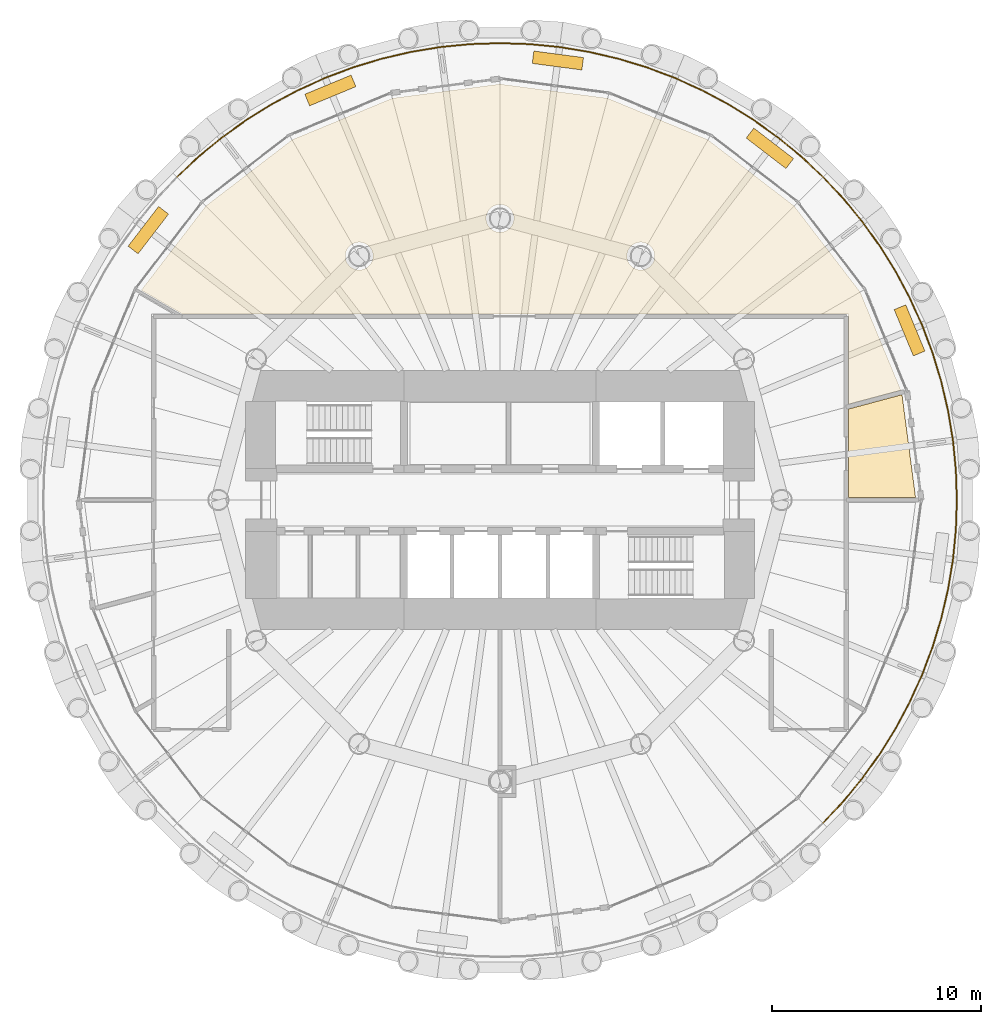
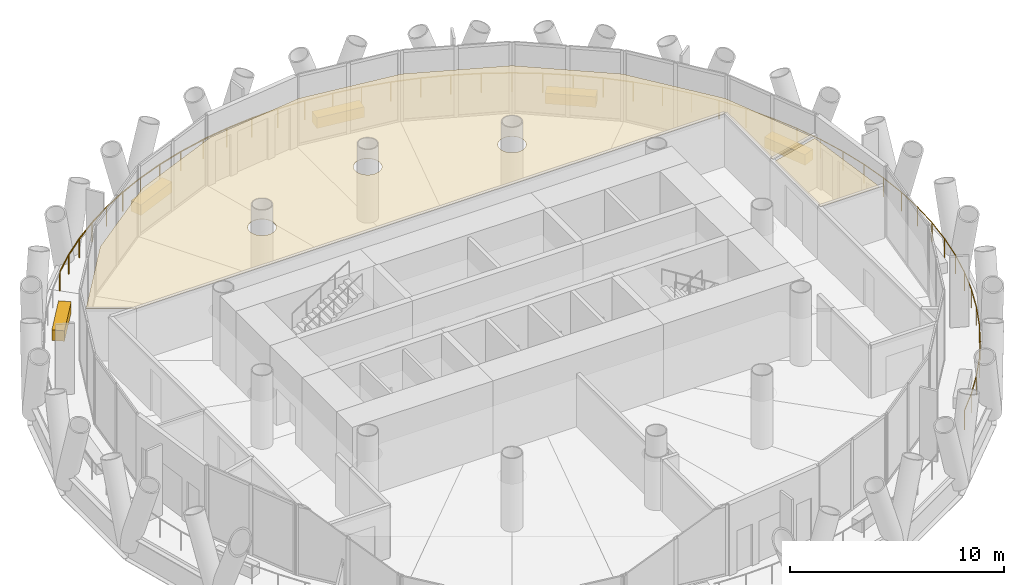
# One storey, part 13 of 13: 7 coverings, 2 railings.
"""IFC4 building model written with IfcOpenShell, lengths in metres."""

from ifc_helpers import new_model, si_unit, direction, frame, origin, origin_2d, place, context, subcontext, project, spatial, polyline, rectangle, circle, outline, extrude, material, layer, layer_set, type_object, element, save


model = new_model("IFC4")

# Units and contexts
model_context = context("Model", 3, precision=1e-05, world=origin(), true_north=direction((0.0, 1.0)))
body_context = subcontext(model_context, "Body", "Model", "MODEL_VIEW")
ifc_project = project(units=[si_unit("LENGTHUNIT", "METRE"), si_unit("AREAUNIT", "SQUARE_METRE"), si_unit("VOLUMEUNIT", "CUBIC_METRE"), si_unit("PLANEANGLEUNIT", "RADIAN"), si_unit("MASSUNIT", "GRAM", prefix="KILO")], contexts=[model_context])

# Site, building, storey
site_placement = place(None, origin())
site = spatial("IfcSite", under=ifc_project, at=site_placement, CompositionType="ELEMENT")
building_placement = place(site_placement, origin())
building = spatial("IfcBuilding", under=site, at=building_placement, Name="Qaws Media Tower", CompositionType="ELEMENT")
storey_placement = place(building_placement, frame((0.0, 0.0, 219.199951171875)))
storey = spatial("IfcBuildingStorey", under=building, at=storey_placement, Name="L50", CompositionType="ELEMENT", Elevation=219.199951171875)

# Railings
ifc_material_1 = material(Name="Stainless steel and glass guard", Category="steel")
railing_type = type_object("IfcRailingType", Name="Balcony guard 1100", PredefinedType="GUARDRAIL", material=ifc_material_1)
railing_1_placement = place(storey_placement, frame((75.485595703125, 65.485595703125, 0.0)))
element("IfcRailing", 1, at=railing_1_placement, inside=storey, type_object=railing_type, Name="GR1 balcony guard L50-1", PredefinedType="GUARDRAIL", context=body_context, shape_type="SweptSolid", body=[
    extrude(circle(Radius=0.02392578125, at=origin_2d()), frame((0.0, 0.0, 1.076171875), z_axis=(-0.729813400742, 0.683646399901, 0.0), x_axis=(-0.683646399901, -0.729813400742, 0.0)), (0.0, 0.0, 1.0), 1.43310546875),
    extrude(circle(Radius=0.02392578125, at=origin_2d()), frame((-1.0458984375, 0.979736328125, 1.076171875), z_axis=(-0.773030531197, 0.634368818462, 0.0), x_axis=(-0.634368818462, -0.773030531197, 0.0)), (0.0, 0.0, 1.0), 1.43310546875),
    extrude(circle(Radius=0.02392578125, at=origin_2d()), frame((-2.15380859375, 1.888916015625, 1.076171875), z_axis=(-0.812834605048, 0.582494553482, 0.0), x_axis=(-0.582494553482, -0.812834605048, 0.0)), (0.0, 0.0, 1.0), 1.43310546875),
    extrude(circle(Radius=0.02392578125, at=origin_2d()), frame((-3.318603515625, 2.7236328125, 1.076171875), z_axis=(-0.849192418693, 0.52808355024, 0.0), x_axis=(-0.52808355024, -0.849192418693, 0.0)), (0.0, 0.0, 1.0), 1.43310546875),
    extrude(circle(Radius=0.02392578125, at=origin_2d()), frame((-4.53564453125, 3.48046875, 1.076171875), z_axis=(-0.881932889719, 0.471374986643, 0.0), x_axis=(-0.471374986643, -0.881932889719, 0.0)), (0.0, 0.0, 1.0), 1.43310546875),
    extrude(circle(Radius=0.02392578125, at=origin_2d()), frame((-5.799560546875, 4.156005859375, 1.076171875), z_axis=(-0.910879266188, 0.412672948505, 0.0), x_axis=(-0.412672948505, -0.910879266188, 0.0)), (0.0, 0.0, 1.0), 1.432861328125),
    extrude(circle(Radius=0.02392578125, at=origin_2d()), frame((-7.104736328125, 4.747314453125, 1.076171875), z_axis=(-0.935894423656, 0.352280609414, 0.0), x_axis=(-0.352280609414, -0.935894423656, 0.0)), (0.0, 0.0, 1.0), 1.43310546875),
    extrude(circle(Radius=0.02392578125, at=origin_2d()), frame((-8.446044921875, 5.252197265625, 1.076171875), z_axis=(-0.956935523719, 0.290300539864, 0.0), x_axis=(-0.290300539864, -0.956935523719, 0.0)), (0.0, 0.0, 1.0), 1.43310546875),
    extrude(circle(Radius=0.02392578125, at=origin_2d()), frame((-9.8173828125, 5.668212890625, 1.076171875), z_axis=(-0.973877636185, 0.227073445694, 0.0), x_axis=(-0.227073445694, -0.973877636185, 0.0)), (0.0, 0.0, 1.0), 1.43310546875),
    extrude(circle(Radius=0.02392578125, at=origin_2d()), frame((-11.213134765625, 5.99365234375, 1.076171875), z_axis=(-0.986646014625, 0.162879224656, 0.0), x_axis=(-0.162879224656, -0.986646014625, 0.0)), (0.0, 0.0, 1.0), 1.432861328125),
    extrude(circle(Radius=0.02392578125, at=origin_2d()), frame((-12.626953125, 6.22705078125, 1.076171875), z_axis=(-0.995191151601, 0.097951885, 0.0), x_axis=(-0.097951885, -0.995191151601, 0.0)), (0.0, 0.0, 1.0), 1.43310546875),
    extrude(circle(Radius=0.02392578125, at=origin_2d()), frame((-14.05322265625, 6.367431640625, 1.076171875), z_axis=(-0.99946495338, 0.032707903707, 0.0), x_axis=(-0.032707903707, -0.99946495338, 0.0)), (0.0, 0.0, 1.0), 1.43310546875),
    extrude(circle(Radius=0.02392578125, at=origin_2d()), frame((-15.485595703125, 6.414306640625, 1.076171875), z_axis=(-0.99946495338, -0.032707903707, 0.0), x_axis=(0.032707903707, -0.99946495338, 0.0)), (0.0, 0.0, 1.0), 1.43310546875),
    extrude(circle(Radius=0.02392578125, at=origin_2d()), frame((-16.91796875, 6.367431640625, 1.076171875), z_axis=(-0.995191151601, -0.097951885, 0.0), x_axis=(0.097951885, -0.995191151601, 0.0)), (0.0, 0.0, 1.0), 1.43310546875),
    extrude(circle(Radius=0.02392578125, at=origin_2d()), frame((-18.34423828125, 6.22705078125, 1.076171875), z_axis=(-0.986646014625, -0.162879224656, 0.0), x_axis=(0.162879224656, -0.986646014625, 0.0)), (0.0, 0.0, 1.0), 1.432861328125),
    extrude(circle(Radius=0.02392578125, at=origin_2d()), frame((-19.758056640625, 5.99365234375, 1.076171875), z_axis=(-0.973877636185, -0.227073445694, 0.0), x_axis=(0.227073445694, -0.973877636185, 0.0)), (0.0, 0.0, 1.0), 1.43310546875),
    extrude(circle(Radius=0.02392578125, at=origin_2d()), frame((-21.15380859375, 5.668212890625, 1.076171875), z_axis=(-0.956935523719, -0.290300539864, 0.0), x_axis=(0.290300539864, -0.956935523719, 0.0)), (0.0, 0.0, 1.0), 1.43310546875),
    extrude(circle(Radius=0.02392578125, at=origin_2d()), frame((-22.525146484375, 5.252197265625, 1.076171875), z_axis=(-0.935894423656, -0.352280609414, 0.0), x_axis=(0.352280609414, -0.935894423656, 0.0)), (0.0, 0.0, 1.0), 1.43310546875),
    extrude(circle(Radius=0.02392578125, at=origin_2d()), frame((-23.866455078125, 4.747314453125, 1.076171875), z_axis=(-0.910879266188, -0.412672948505, 0.0), x_axis=(0.412672948505, -0.910879266188, 0.0)), (0.0, 0.0, 1.0), 1.432861328125),
    extrude(circle(Radius=0.02392578125, at=origin_2d()), frame((-25.171630859375, 4.156005859375, 1.076171875), z_axis=(-0.881932889719, -0.471374986643, 0.0), x_axis=(0.471374986643, -0.881932889719, 0.0)), (0.0, 0.0, 1.0), 1.43310546875),
    extrude(circle(Radius=0.02392578125, at=origin_2d()), frame((-26.435546875, 3.48046875, 1.076171875), z_axis=(-0.849192418693, -0.52808355024, 0.0), x_axis=(0.52808355024, -0.849192418693, 0.0)), (0.0, 0.0, 1.0), 1.43310546875),
    extrude(circle(Radius=0.02392578125, at=origin_2d()), frame((-27.652587890625, 2.7236328125, 1.076171875), z_axis=(-0.812834605048, -0.582494553482, 0.0), x_axis=(0.582494553482, -0.812834605048, 0.0)), (0.0, 0.0, 1.0), 1.43310546875),
    extrude(circle(Radius=0.02392578125, at=origin_2d()), frame((-28.8173828125, 1.888916015625, 1.076171875), z_axis=(-0.773030531197, -0.634368818462, 0.0), x_axis=(0.634368818462, -0.773030531197, 0.0)), (0.0, 0.0, 1.0), 1.43310546875),
    extrude(circle(Radius=0.02392578125, at=origin_2d()), frame((-29.92529296875, 0.979736328125, 1.076171875), z_axis=(-0.729813400742, -0.683646399901, 0.0), x_axis=(0.683646399901, -0.729813400742, 0.0)), (0.0, 0.0, 1.0), 1.43310546875),
    extrude(circle(Radius=0.02099609375, at=origin_2d()), origin(), (0.0, 0.0, 1.0), 1.052001953125),
    extrude(circle(Radius=0.02099609375, at=origin_2d()), frame((-1.0458984375, 0.979736328125, 0.0)), (0.0, 0.0, 1.0), 1.052001953125),
    extrude(circle(Radius=0.02099609375, at=origin_2d()), frame((-2.15380859375, 1.888916015625, 0.0)), (0.0, 0.0, 1.0), 1.052001953125),
    extrude(circle(Radius=0.02099609375, at=origin_2d()), frame((-3.318603515625, 2.7236328125, 0.0)), (0.0, 0.0, 1.0), 1.052001953125),
    extrude(circle(Radius=0.02099609375, at=origin_2d()), frame((-4.53564453125, 3.48046875, 0.0)), (0.0, 0.0, 1.0), 1.052001953125),
    extrude(circle(Radius=0.02099609375, at=origin_2d()), frame((-5.799560546875, 4.156005859375, 0.0)), (0.0, 0.0, 1.0), 1.052001953125),
    extrude(circle(Radius=0.02099609375, at=origin_2d()), frame((-7.104736328125, 4.747314453125, 0.0)), (0.0, 0.0, 1.0), 1.052001953125),
    extrude(circle(Radius=0.02099609375, at=origin_2d()), frame((-8.446044921875, 5.252197265625, 0.0)), (0.0, 0.0, 1.0), 1.052001953125),
    extrude(circle(Radius=0.02099609375, at=origin_2d()), frame((-9.8173828125, 5.668212890625, 0.0)), (0.0, 0.0, 1.0), 1.052001953125),
    extrude(circle(Radius=0.02099609375, at=origin_2d()), frame((-11.213134765625, 5.99365234375, 0.0)), (0.0, 0.0, 1.0), 1.052001953125),
    extrude(circle(Radius=0.02099609375, at=origin_2d()), frame((-12.626953125, 6.22705078125, 0.0)), (0.0, 0.0, 1.0), 1.052001953125),
    extrude(circle(Radius=0.02099609375, at=origin_2d()), frame((-14.05322265625, 6.367431640625, 0.0)), (0.0, 0.0, 1.0), 1.052001953125),
    extrude(circle(Radius=0.02099609375, at=origin_2d()), frame((-15.485595703125, 6.414306640625, 0.0)), (0.0, 0.0, 1.0), 1.052001953125),
    extrude(circle(Radius=0.02099609375, at=origin_2d()), frame((-16.91796875, 6.367431640625, 0.0)), (0.0, 0.0, 1.0), 1.052001953125),
    extrude(circle(Radius=0.02099609375, at=origin_2d()), frame((-18.34423828125, 6.22705078125, 0.0)), (0.0, 0.0, 1.0), 1.052001953125),
    extrude(circle(Radius=0.02099609375, at=origin_2d()), frame((-19.758056640625, 5.99365234375, 0.0)), (0.0, 0.0, 1.0), 1.052001953125),
    extrude(circle(Radius=0.02099609375, at=origin_2d()), frame((-21.15380859375, 5.668212890625, 0.0)), (0.0, 0.0, 1.0), 1.052001953125),
    extrude(circle(Radius=0.02099609375, at=origin_2d()), frame((-22.525146484375, 5.252197265625, 0.0)), (0.0, 0.0, 1.0), 1.052001953125),
    extrude(circle(Radius=0.02099609375, at=origin_2d()), frame((-23.866455078125, 4.747314453125, 0.0)), (0.0, 0.0, 1.0), 1.052001953125),
    extrude(circle(Radius=0.02099609375, at=origin_2d()), frame((-25.171630859375, 4.156005859375, 0.0)), (0.0, 0.0, 1.0), 1.052001953125),
    extrude(circle(Radius=0.02099609375, at=origin_2d()), frame((-26.435546875, 3.48046875, 0.0)), (0.0, 0.0, 1.0), 1.052001953125),
    extrude(circle(Radius=0.02099609375, at=origin_2d()), frame((-27.652587890625, 2.7236328125, 0.0)), (0.0, 0.0, 1.0), 1.052001953125),
    extrude(circle(Radius=0.02099609375, at=origin_2d()), frame((-28.8173828125, 1.888916015625, 0.0)), (0.0, 0.0, 1.0), 1.052001953125),
    extrude(circle(Radius=0.02099609375, at=origin_2d()), frame((-29.92529296875, 0.979736328125, 0.0)), (0.0, 0.0, 1.0), 1.052001953125),
    extrude(circle(Radius=0.02099609375, at=origin_2d()), frame((-30.97119140625, 0.0, 0.0)), (0.0, 0.0, 1.0), 1.052001953125),
])
railing_2_placement = place(storey_placement, frame((75.485595703125, 34.514404296875, 0.0)))
element("IfcRailing", 2, at=railing_2_placement, inside=storey, type_object=railing_type, Name="GR1 balcony guard L50-4", PredefinedType="GUARDRAIL", context=body_context, shape_type="SweptSolid", body=[
    extrude(circle(Radius=0.02392578125, at=origin_2d()), frame((0.0, 0.0, 1.076171875), z_axis=(0.683646399901, 0.729813400742, 0.0), x_axis=(-0.729813400742, 0.683646399901, 0.0)), (0.0, 0.0, 1.0), 1.43310546875),
    extrude(circle(Radius=0.02392578125, at=origin_2d()), frame((0.979736328125, 1.0458984375, 1.076171875), z_axis=(0.634368818462, 0.773030531197, 0.0), x_axis=(-0.773030531197, 0.634368818462, 0.0)), (0.0, 0.0, 1.0), 1.43310546875),
    extrude(circle(Radius=0.02392578125, at=origin_2d()), frame((1.888916015625, 2.15380859375, 1.076171875), z_axis=(0.582494553482, 0.812834605048, 0.0), x_axis=(-0.812834605048, 0.582494553482, 0.0)), (0.0, 0.0, 1.0), 1.43310546875),
    extrude(circle(Radius=0.02392578125, at=origin_2d()), frame((2.7236328125, 3.318603515625, 1.076171875), z_axis=(0.52808355024, 0.849192418693, 0.0), x_axis=(-0.849192418693, 0.52808355024, 0.0)), (0.0, 0.0, 1.0), 1.43310546875),
    extrude(circle(Radius=0.02392578125, at=origin_2d()), frame((3.48046875, 4.53564453125, 1.076171875), z_axis=(0.471374986643, 0.881932889719, 0.0), x_axis=(-0.881932889719, 0.471374986643, 0.0)), (0.0, 0.0, 1.0), 1.43310546875),
    extrude(circle(Radius=0.02392578125, at=origin_2d()), frame((4.156005859375, 5.799560546875, 1.076171875), z_axis=(0.412672948505, 0.910879266188, 0.0), x_axis=(-0.910879266188, 0.412672948505, 0.0)), (0.0, 0.0, 1.0), 1.432861328125),
    extrude(circle(Radius=0.02392578125, at=origin_2d()), frame((4.747314453125, 7.104736328125, 1.076171875), z_axis=(0.352280609414, 0.935894423656, 0.0), x_axis=(-0.935894423656, 0.352280609414, 0.0)), (0.0, 0.0, 1.0), 1.43310546875),
    extrude(circle(Radius=0.02392578125, at=origin_2d()), frame((5.252197265625, 8.446044921875, 1.076171875), z_axis=(0.290300539864, 0.956935523719, 0.0), x_axis=(-0.956935523719, 0.290300539864, 0.0)), (0.0, 0.0, 1.0), 1.43310546875),
    extrude(circle(Radius=0.02392578125, at=origin_2d()), frame((5.668212890625, 9.8173828125, 1.076171875), z_axis=(0.227073445694, 0.973877636185, 0.0), x_axis=(-0.973877636185, 0.227073445694, 0.0)), (0.0, 0.0, 1.0), 1.43310546875),
    extrude(circle(Radius=0.02392578125, at=origin_2d()), frame((5.99365234375, 11.213134765625, 1.076171875), z_axis=(0.162879224656, 0.986646014625, 0.0), x_axis=(-0.986646014625, 0.162879224656, 0.0)), (0.0, 0.0, 1.0), 1.432861328125),
    extrude(circle(Radius=0.02392578125, at=origin_2d()), frame((6.22705078125, 12.626953125, 1.076171875), z_axis=(0.097951885, 0.995191151601, 0.0), x_axis=(-0.995191151601, 0.097951885, 0.0)), (0.0, 0.0, 1.0), 1.43310546875),
    extrude(circle(Radius=0.02392578125, at=origin_2d()), frame((6.367431640625, 14.05322265625, 1.076171875), z_axis=(0.032707903707, 0.99946495338, 0.0), x_axis=(-0.99946495338, 0.032707903707, 0.0)), (0.0, 0.0, 1.0), 1.43310546875),
    extrude(circle(Radius=0.02392578125, at=origin_2d()), frame((6.414306640625, 15.485595703125, 1.076171875), z_axis=(-0.032707903707, 0.99946495338, 0.0), x_axis=(-0.99946495338, -0.032707903707, 0.0)), (0.0, 0.0, 1.0), 1.43310546875),
    extrude(circle(Radius=0.02392578125, at=origin_2d()), frame((6.367431640625, 16.91796875, 1.076171875), z_axis=(-0.097951885, 0.995191151601, 0.0), x_axis=(-0.995191151601, -0.097951885, 0.0)), (0.0, 0.0, 1.0), 1.43310546875),
    extrude(circle(Radius=0.02392578125, at=origin_2d()), frame((6.22705078125, 18.34423828125, 1.076171875), z_axis=(-0.162879224656, 0.986646014625, 0.0), x_axis=(-0.986646014625, -0.162879224656, 0.0)), (0.0, 0.0, 1.0), 1.432861328125),
    extrude(circle(Radius=0.02392578125, at=origin_2d()), frame((5.99365234375, 19.758056640625, 1.076171875), z_axis=(-0.227073445694, 0.973877636185, 0.0), x_axis=(-0.973877636185, -0.227073445694, 0.0)), (0.0, 0.0, 1.0), 1.43310546875),
    extrude(circle(Radius=0.02392578125, at=origin_2d()), frame((5.668212890625, 21.15380859375, 1.076171875), z_axis=(-0.290300539864, 0.956935523719, 0.0), x_axis=(-0.956935523719, -0.290300539864, 0.0)), (0.0, 0.0, 1.0), 1.43310546875),
    extrude(circle(Radius=0.02392578125, at=origin_2d()), frame((5.252197265625, 22.525146484375, 1.076171875), z_axis=(-0.352280609414, 0.935894423656, 0.0), x_axis=(-0.935894423656, -0.352280609414, 0.0)), (0.0, 0.0, 1.0), 1.43310546875),
    extrude(circle(Radius=0.02392578125, at=origin_2d()), frame((4.747314453125, 23.866455078125, 1.076171875), z_axis=(-0.412672948505, 0.910879266188, 0.0), x_axis=(-0.910879266188, -0.412672948505, 0.0)), (0.0, 0.0, 1.0), 1.432861328125),
    extrude(circle(Radius=0.02392578125, at=origin_2d()), frame((4.156005859375, 25.171630859375, 1.076171875), z_axis=(-0.471374986643, 0.881932889719, 0.0), x_axis=(-0.881932889719, -0.471374986643, 0.0)), (0.0, 0.0, 1.0), 1.43310546875),
    extrude(circle(Radius=0.02392578125, at=origin_2d()), frame((3.48046875, 26.435546875, 1.076171875), z_axis=(-0.52808355024, 0.849192418693, 0.0), x_axis=(-0.849192418693, -0.52808355024, 0.0)), (0.0, 0.0, 1.0), 1.43310546875),
    extrude(circle(Radius=0.02392578125, at=origin_2d()), frame((2.7236328125, 27.652587890625, 1.076171875), z_axis=(-0.582494553482, 0.812834605048, 0.0), x_axis=(-0.812834605048, -0.582494553482, 0.0)), (0.0, 0.0, 1.0), 1.43310546875),
    extrude(circle(Radius=0.02392578125, at=origin_2d()), frame((1.888916015625, 28.8173828125, 1.076171875), z_axis=(-0.634368818462, 0.773030531197, 0.0), x_axis=(-0.773030531197, -0.634368818462, 0.0)), (0.0, 0.0, 1.0), 1.43310546875),
    extrude(circle(Radius=0.02392578125, at=origin_2d()), frame((0.979736328125, 29.92529296875, 1.076171875), z_axis=(-0.683646399901, 0.729813400742, 0.0), x_axis=(-0.729813400742, -0.683646399901, 0.0)), (0.0, 0.0, 1.0), 1.43310546875),
    extrude(circle(Radius=0.02099609375, at=origin_2d()), origin(), (0.0, 0.0, 1.0), 1.052001953125),
    extrude(circle(Radius=0.02099609375, at=origin_2d()), frame((0.979736328125, 1.0458984375, 0.0)), (0.0, 0.0, 1.0), 1.052001953125),
    extrude(circle(Radius=0.02099609375, at=origin_2d()), frame((1.888916015625, 2.15380859375, 0.0)), (0.0, 0.0, 1.0), 1.052001953125),
    extrude(circle(Radius=0.02099609375, at=origin_2d()), frame((2.7236328125, 3.318603515625, 0.0)), (0.0, 0.0, 1.0), 1.052001953125),
    extrude(circle(Radius=0.02099609375, at=origin_2d()), frame((3.48046875, 4.53564453125, 0.0)), (0.0, 0.0, 1.0), 1.052001953125),
    extrude(circle(Radius=0.02099609375, at=origin_2d()), frame((4.156005859375, 5.799560546875, 0.0)), (0.0, 0.0, 1.0), 1.052001953125),
    extrude(circle(Radius=0.02099609375, at=origin_2d()), frame((4.747314453125, 7.104736328125, 0.0)), (0.0, 0.0, 1.0), 1.052001953125),
    extrude(circle(Radius=0.02099609375, at=origin_2d()), frame((5.252197265625, 8.446044921875, 0.0)), (0.0, 0.0, 1.0), 1.052001953125),
    extrude(circle(Radius=0.02099609375, at=origin_2d()), frame((5.668212890625, 9.8173828125, 0.0)), (0.0, 0.0, 1.0), 1.052001953125),
    extrude(circle(Radius=0.02099609375, at=origin_2d()), frame((5.99365234375, 11.213134765625, 0.0)), (0.0, 0.0, 1.0), 1.052001953125),
    extrude(circle(Radius=0.02099609375, at=origin_2d()), frame((6.22705078125, 12.626953125, 0.0)), (0.0, 0.0, 1.0), 1.052001953125),
    extrude(circle(Radius=0.02099609375, at=origin_2d()), frame((6.367431640625, 14.05322265625, 0.0)), (0.0, 0.0, 1.0), 1.052001953125),
    extrude(circle(Radius=0.02099609375, at=origin_2d()), frame((6.414306640625, 15.485595703125, 0.0)), (0.0, 0.0, 1.0), 1.052001953125),
    extrude(circle(Radius=0.02099609375, at=origin_2d()), frame((6.367431640625, 16.91796875, 0.0)), (0.0, 0.0, 1.0), 1.052001953125),
    extrude(circle(Radius=0.02099609375, at=origin_2d()), frame((6.22705078125, 18.34423828125, 0.0)), (0.0, 0.0, 1.0), 1.052001953125),
    extrude(circle(Radius=0.02099609375, at=origin_2d()), frame((5.99365234375, 19.758056640625, 0.0)), (0.0, 0.0, 1.0), 1.052001953125),
    extrude(circle(Radius=0.02099609375, at=origin_2d()), frame((5.668212890625, 21.15380859375, 0.0)), (0.0, 0.0, 1.0), 1.052001953125),
    extrude(circle(Radius=0.02099609375, at=origin_2d()), frame((5.252197265625, 22.525146484375, 0.0)), (0.0, 0.0, 1.0), 1.052001953125),
    extrude(circle(Radius=0.02099609375, at=origin_2d()), frame((4.747314453125, 23.866455078125, 0.0)), (0.0, 0.0, 1.0), 1.052001953125),
    extrude(circle(Radius=0.02099609375, at=origin_2d()), frame((4.156005859375, 25.171630859375, 0.0)), (0.0, 0.0, 1.0), 1.052001953125),
    extrude(circle(Radius=0.02099609375, at=origin_2d()), frame((3.48046875, 26.435546875, 0.0)), (0.0, 0.0, 1.0), 1.052001953125),
    extrude(circle(Radius=0.02099609375, at=origin_2d()), frame((2.7236328125, 27.652587890625, 0.0)), (0.0, 0.0, 1.0), 1.052001953125),
    extrude(circle(Radius=0.02099609375, at=origin_2d()), frame((1.888916015625, 28.8173828125, 0.0)), (0.0, 0.0, 1.0), 1.052001953125),
    extrude(circle(Radius=0.02099609375, at=origin_2d()), frame((0.979736328125, 29.92529296875, 0.0)), (0.0, 0.0, 1.0), 1.052001953125),
    extrude(circle(Radius=0.02099609375, at=origin_2d()), frame((0.0, 30.97119140625, 0.0)), (0.0, 0.0, 1.0), 1.052001953125),
])

# Coverings
ifc_material_2 = material(Name="600 x 600 mineral fibre tiles in exposed grid, suspended", Category="mineral fibre")
ifc_layer_1 = layer(ifc_material_2, 0.02001953125)
ifc_layer_set_1 = layer_set([ifc_layer_1], Name="Mineral fibre tile ceiling 20")
covering_type_1 = type_object("IfcCoveringType", Name="Mineral fibre tile ceiling 20", PredefinedType="CEILING", material=ifc_layer_set_1)
covering_1_placement = place(storey_placement, frame((0.0, 0.0, 2.85009765625)))
element("IfcCovering", 3, at=covering_1_placement, inside=storey, type_object=covering_type_1, Name="CL1 ceiling L50-03 Tenant office", PredefinedType="CEILING", context=body_context, shape_type="SweptSolid", body=[
    extrude(outline(polyline([(45.90380859375, 64.09619140625), (50.032470703125, 67.264404296875), (54.84033203125, 69.256103515625), (60.0, 69.935302734375), (65.15966796875, 69.256103515625), (69.967529296875, 67.264404296875), (74.09619140625, 64.09619140625), (77.264404296875, 59.967529296875), (79.21240234375, 55.264404296875), (76.71240234375, 54.594482421875), (76.71240234375, 58.91259765625), (44.7880859375, 58.91259765625), (42.8046875, 60.0576171875), (45.90380859375, 64.09619140625)]), holes=[polyline([(53.8671875, 61.435791015625), (53.895263671875, 61.5185546875), (53.912353515625, 61.604248046875), (53.91796875, 61.69140625), (53.912353515625, 61.778564453125), (53.895263671875, 61.8642578125), (53.8671875, 61.947021484375), (53.82861328125, 62.025390625), (53.780029296875, 62.097900390625), (53.722412109375, 62.163818359375), (53.65673828125, 62.22119140625), (53.583984375, 62.269775390625), (53.505615234375, 62.30859375), (53.4228515625, 62.336669921875), (53.337158203125, 62.353515625), (53.25, 62.359375), (53.162841796875, 62.353515625), (53.0771484375, 62.336669921875), (52.994384765625, 62.30859375), (52.916015625, 62.269775390625), (52.84326171875, 62.22119140625), (52.777587890625, 62.163818359375), (52.719970703125, 62.097900390625), (52.67138671875, 62.025390625), (52.6328125, 61.947021484375), (52.604736328125, 61.8642578125), (52.587646484375, 61.778564453125), (52.58203125, 61.69140625), (52.587646484375, 61.604248046875), (52.604736328125, 61.5185546875), (52.6328125, 61.435791015625), (52.67138671875, 61.357421875), (52.719970703125, 61.28466796875), (52.777587890625, 61.218994140625), (52.84326171875, 61.161376953125), (52.916015625, 61.11279296875), (52.994384765625, 61.07421875), (53.0771484375, 61.046142578125), (53.162841796875, 61.029052734375), (53.25, 61.023193359375), (53.337158203125, 61.029052734375), (53.4228515625, 61.046142578125), (53.505615234375, 61.07421875), (53.583984375, 61.11279296875), (53.65673828125, 61.161376953125), (53.722412109375, 61.218994140625), (53.780029296875, 61.28466796875), (53.82861328125, 61.357421875), (53.8671875, 61.435791015625)]), polyline([(60.6171875, 63.244384765625), (60.645263671875, 63.3271484375), (60.662353515625, 63.412841796875), (60.66796875, 63.5), (60.662353515625, 63.587158203125), (60.645263671875, 63.6728515625), (60.6171875, 63.755615234375), (60.57861328125, 63.833984375), (60.530029296875, 63.90673828125), (60.472412109375, 63.972412109375), (60.40673828125, 64.030029296875), (60.333984375, 64.07861328125), (60.255615234375, 64.1171875), (60.1728515625, 64.145263671875), (60.087158203125, 64.162353515625), (60.0, 64.16796875), (59.912841796875, 64.162353515625), (59.8271484375, 64.145263671875), (59.744384765625, 64.1171875), (59.666015625, 64.07861328125), (59.59326171875, 64.030029296875), (59.527587890625, 63.972412109375), (59.469970703125, 63.90673828125), (59.42138671875, 63.833984375), (59.3828125, 63.755615234375), (59.354736328125, 63.6728515625), (59.337646484375, 63.587158203125), (59.33203125, 63.5), (59.337646484375, 63.412841796875), (59.354736328125, 63.3271484375), (59.3828125, 63.244384765625), (59.42138671875, 63.166015625), (59.469970703125, 63.09326171875), (59.527587890625, 63.027587890625), (59.59326171875, 62.969970703125), (59.666015625, 62.92138671875), (59.744384765625, 62.8828125), (59.8271484375, 62.854736328125), (59.912841796875, 62.837646484375), (60.0, 62.83203125), (60.087158203125, 62.837646484375), (60.1728515625, 62.854736328125), (60.255615234375, 62.8828125), (60.333984375, 62.92138671875), (60.40673828125, 62.969970703125), (60.472412109375, 63.027587890625), (60.530029296875, 63.09326171875), (60.57861328125, 63.166015625), (60.6171875, 63.244384765625)]), polyline([(67.3671875, 61.435791015625), (67.395263671875, 61.5185546875), (67.412353515625, 61.604248046875), (67.41796875, 61.69140625), (67.412353515625, 61.778564453125), (67.395263671875, 61.8642578125), (67.3671875, 61.947021484375), (67.32861328125, 62.025390625), (67.280029296875, 62.097900390625), (67.222412109375, 62.163818359375), (67.15673828125, 62.22119140625), (67.083984375, 62.269775390625), (67.005615234375, 62.30859375), (66.9228515625, 62.336669921875), (66.837158203125, 62.353515625), (66.75, 62.359375), (66.662841796875, 62.353515625), (66.5771484375, 62.336669921875), (66.494384765625, 62.30859375), (66.416015625, 62.269775390625), (66.34326171875, 62.22119140625), (66.277587890625, 62.163818359375), (66.219970703125, 62.097900390625), (66.17138671875, 62.025390625), (66.1328125, 61.947021484375), (66.104736328125, 61.8642578125), (66.087646484375, 61.778564453125), (66.08203125, 61.69140625), (66.087646484375, 61.604248046875), (66.104736328125, 61.5185546875), (66.1328125, 61.435791015625), (66.17138671875, 61.357421875), (66.219970703125, 61.28466796875), (66.277587890625, 61.218994140625), (66.34326171875, 61.161376953125), (66.416015625, 61.11279296875), (66.494384765625, 61.07421875), (66.5771484375, 61.046142578125), (66.662841796875, 61.029052734375), (66.75, 61.023193359375), (66.837158203125, 61.029052734375), (66.9228515625, 61.046142578125), (67.005615234375, 61.07421875), (67.083984375, 61.11279296875), (67.15673828125, 61.161376953125), (67.222412109375, 61.218994140625), (67.280029296875, 61.28466796875), (67.32861328125, 61.357421875), (67.3671875, 61.435791015625)])]), origin(), (0.0, 0.0, 1.0), 0.02001953125),
])
ifc_material_3 = material(Name="Precast concrete planter with trailing planting", Category="concrete")
ifc_layer_2 = layer(ifc_material_3, 0.60009765625)
ifc_layer_set_2 = layer_set([ifc_layer_2], Name="Planter 2400x600")
covering_type_2 = type_object("IfcCoveringType", Name="Planter 2400x600", PredefinedType="USERDEFINED", material=ifc_layer_set_2)
for number, where, z_axis, x_axis, name in (
    (4, (79.63232421875, 58.132080078125, 0.0), (0.0, 0.0, 1.0), (-0.382683432365, 0.923879532511, 0.0), "PL1 balcony planter L50-01"),
    (5, (72.936279296875, 66.858642578125, 0.0), (0.0, 0.0, 1.0), (-0.793353340291, 0.608761429009, 0.0), "PL1 balcony planter L50-02"),
    (6, (62.773681640625, 71.068115234375, 0.0), (0.0, 0.0, 1.0), (-0.991444861374, 0.13052619222, 0.0), "PL1 balcony planter L50-03"),
    (7, (51.867919921875, 69.63232421875, 0.0), (0.0, 0.0, 1.0), (-0.923879532511, -0.382683432365, 0.0), "PL1 balcony planter L50-04"),
    (8, (43.141357421875, 62.936279296875, 0.0), (0.0, 0.0, 1.0), (-0.608761429009, -0.793353340291, 0.0), "PL1 balcony planter L50-05"),
):
    element("IfcCovering", number, at=place(storey_placement, frame(where, z_axis=z_axis, x_axis=x_axis)), inside=storey, type_object=covering_type_2, Name=name, ObjectType="PLANTER", PredefinedType="USERDEFINED", context=body_context, shape_type="SweptSolid", body=[
        extrude(rectangle(XDim=2.39990234375, YDim=0.60009765625, at=origin_2d()), origin(), (0.0, 0.0, 1.0), 0.60009765625),
    ])
ifc_material_4 = material(Name="Two layers 12.5 moisture-resistant plasterboard on suspended metal furring", Category="gypsum")
ifc_layer_3 = layer(ifc_material_4, 0.02490234375)
ifc_layer_set_3 = layer_set([ifc_layer_3], Name="Plasterboard ceiling 25")
covering_type_3 = type_object("IfcCoveringType", Name="Plasterboard ceiling 25", PredefinedType="CEILING", material=ifc_layer_set_3)
covering_2_placement = place(storey_placement, frame((0.0, 0.0, 2.85009765625)))
element("IfcCovering", 9, at=covering_2_placement, inside=storey, type_object=covering_type_3, Name="CL2 ceiling L50-02 Tenant reception", PredefinedType="CEILING", context=body_context, shape_type="SweptSolid", body=[
    extrude(outline(polyline([(79.92041015625, 50.112548828125), (76.71240234375, 50.112548828125), (76.71240234375, 54.361572265625), (79.270751953125, 55.047119140625), (79.92041015625, 50.112548828125)])), origin(), (0.0, 0.0, 1.0), 0.02490234375),
])

save(model, "model.ifc")
